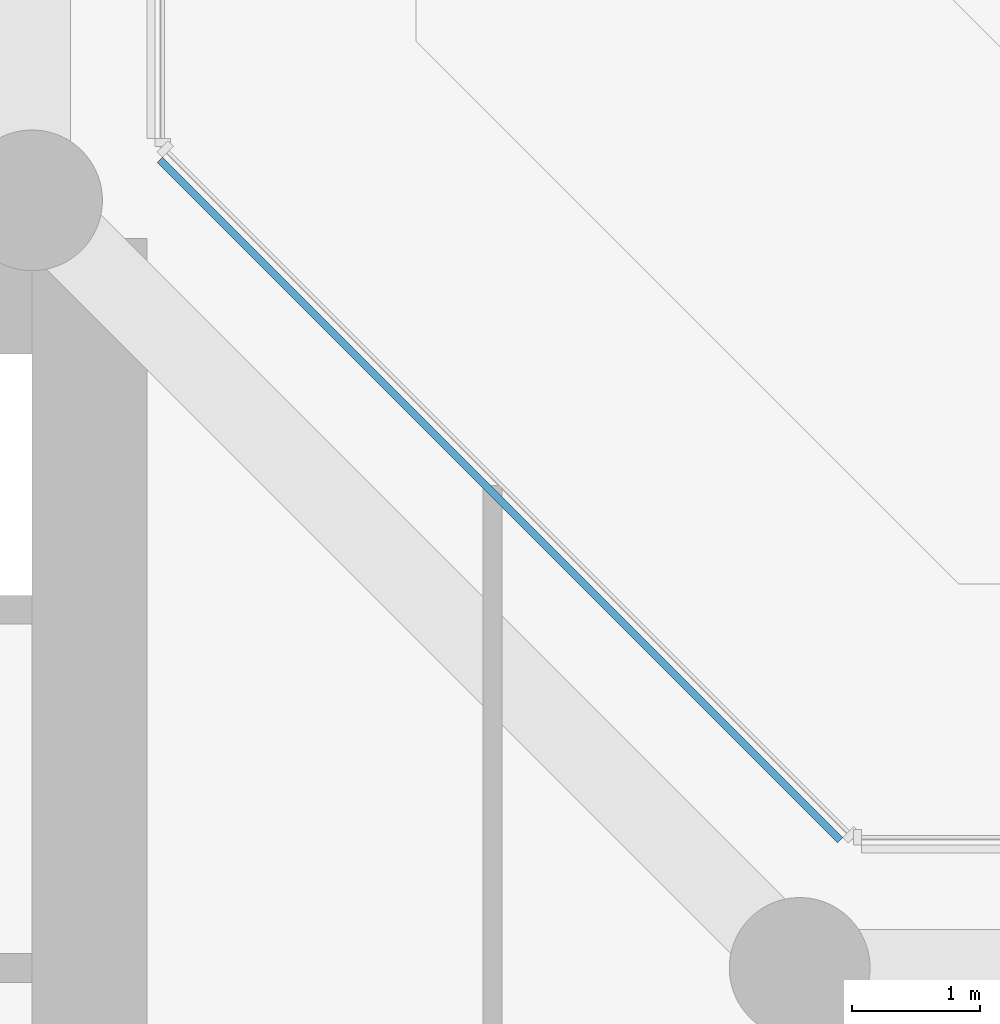
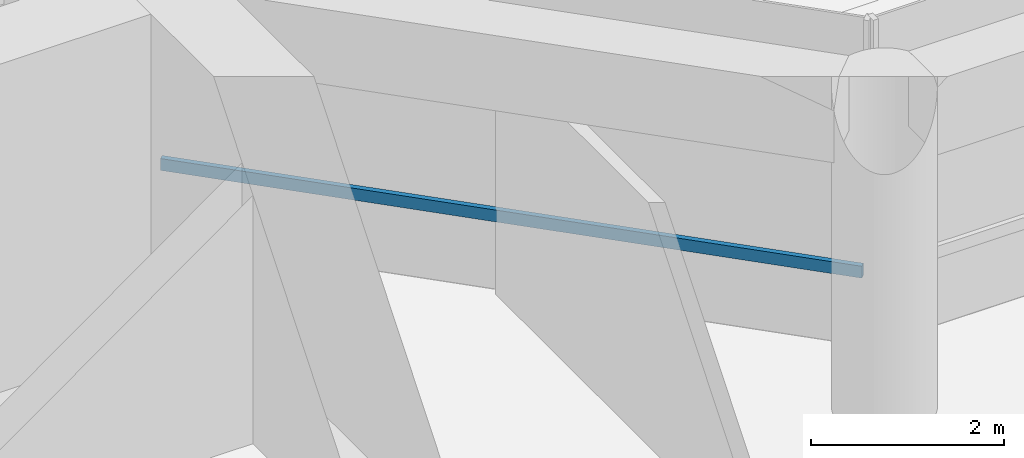
# One storey, part 19 of 31: 1 member, 1 element without a shape of its own.
"""IFC4 building model written with IfcOpenShell, lengths in metres."""

from ifc_helpers import new_model, si_unit, direction, frame, origin, origin_2d, place, context, subcontext, project, spatial, rectangle, extrude, material, layer, layer_set, material_profile, profile_set, type_object, element, aggregate, save


model = new_model("IFC4")

# Units and contexts
model_context = context("Model", 3, precision=1e-05, world=origin(), true_north=direction((0.0, 1.0)))
body_context = subcontext(model_context, "Body", "Model", "MODEL_VIEW")
ifc_project = project(units=[si_unit("LENGTHUNIT", "METRE"), si_unit("AREAUNIT", "SQUARE_METRE"), si_unit("VOLUMEUNIT", "CUBIC_METRE"), si_unit("PLANEANGLEUNIT", "RADIAN"), si_unit("MASSUNIT", "GRAM", prefix="KILO")], contexts=[model_context])

# Site, building, storey
site_placement = place(None, origin())
site = spatial("IfcSite", under=ifc_project, at=site_placement, CompositionType="ELEMENT")
building_placement = place(site_placement, origin())
building = spatial("IfcBuilding", under=site, at=building_placement, Name="Welwitschia Terrace Campus", CompositionType="ELEMENT")
storey_placement = place(building_placement, frame((0.0, 0.0, 11.0)))
storey = spatial("IfcBuildingStorey", under=building, at=storey_placement, Name="L02", CompositionType="ELEMENT", Elevation=11.0)

# Curtain wall, member
ifc_material_1 = material(Name="Bronze anodised aluminium", Category="aluminium")
ifc_layer = layer(ifc_material_1, 0.1201171875)
ifc_layer_set = layer_set([ifc_layer], Name="Bronze anodised aluminium")
curtain_wall_type = type_object("IfcCurtainWallType", Name="Curtain wall CW2 tower 6000", PredefinedType="NOTDEFINED", material=ifc_layer_set)
curtain_wall_placement = place(storey_placement, origin())
curtain_wall = element("IfcCurtainWall", 1, at=curtain_wall_placement, inside=storey, type_object=curtain_wall_type, Name="CW L02.6.0", PredefinedType="NOTDEFINED")
ifc_material_2 = material(Name="Bronze anodised aluminium", Category="aluminium")
ifc_material_profile = material_profile(ifc_material_2, rectangle(XDim=0.06005859375, YDim=0.14990234375, at=origin_2d()))
ifc_profile_set = profile_set([ifc_material_profile], Name="Bronze anodised aluminium")
member_type = type_object("IfcMemberType", Name="Transom 60x150", PredefinedType="USERDEFINED", material=ifc_profile_set)
member_placement = place(storey_placement, frame((30.31640625, 20.998779296875, 1.0), z_axis=(-0.707106781187, 0.707106781187, 0.0), x_axis=(-0.707106781187, -0.707106781187, 0.0)))
member = element("IfcMember", 2, at=member_placement, type_object=member_type, Name="Transom L02.6.0", ObjectType="TRANSOM", PredefinedType="USERDEFINED", context=body_context, shape_type="SweptSolid", body=[
    extrude(rectangle(XDim=0.06005859375, YDim=0.14990234375, at=origin_2d()), origin(), (0.0, 0.0, 1.0), 7.520263671875),
])
aggregate(curtain_wall, [member])

save(model, "model.ifc")
